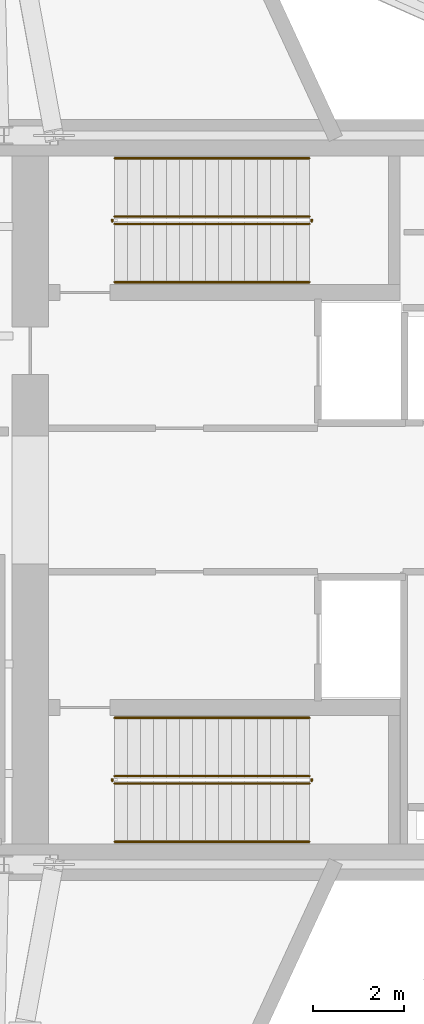
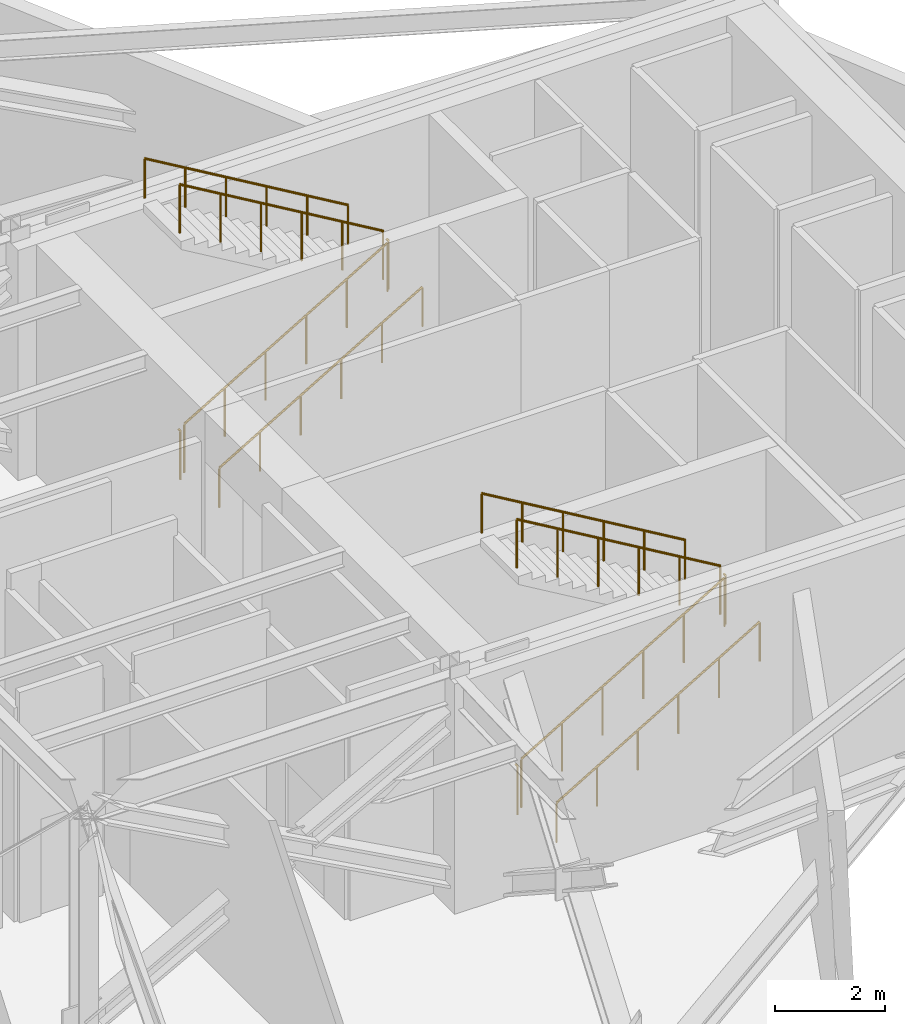
# One storey, part 6 of 6: 12 railings.
"""IFC4 building model written with IfcOpenShell, lengths in metres."""

import ifcopenshell
import ifcopenshell.guid

model = None  # the IFC model being written
_history = None  # IfcOwnerHistory: only IFC2X3 demands one
_inside = {}  # id of a spatial element -> (the spatial element, [elements in it])
_under = {}  # id of a project, library or spatial element -> (it, [spatial elements below it])
_declared = {}  # id of a project -> (the project, [libraries it declares])
_typed = {}  # id of a type object -> (the type object, [elements of that type])
_made_of = {}  # id of a material, layer set ... -> (it, [elements and type objects made of it])


def new_model(schema):
    """Start an empty IFC model of exactly this schema.

    Asked for "IFC4X3", IfcOpenShell would pick the latest addendum, in which some entities
    have other attributes; the version numbers below select the first issue.
    IFC2X3 requires an IfcOwnerHistory on every rooted entity: one is made here for all.
    """
    global model, _history
    if schema == "IFC4X3":
        model = ifcopenshell.file(schema_version=(4, 3, 0, 0))
    else:
        model = ifcopenshell.file(schema=schema)
    _inside.clear()
    _under.clear()
    _declared.clear()
    _typed.clear()
    _made_of.clear()
    _history = None
    if model.schema == "IFC2X3":
        org = make("IfcOrganization", Name="unknown")
        user = make(
            "IfcPersonAndOrganization",
            ThePerson=make("IfcPerson", FamilyName="unknown"),
            TheOrganization=org,
        )
        app = make(
            "IfcApplication",
            ApplicationDeveloper=org,
            Version="unknown",
            ApplicationFullName="unknown",
            ApplicationIdentifier="unknown",
        )
        _history = make(
            "IfcOwnerHistory",
            OwningUser=user,
            OwningApplication=app,
            ChangeAction="ADDED",
            CreationDate=0,
        )
    return model


def make(cls, **values):
    """One entity of the class cls with the attributes given. An attribute that is None is left unset."""
    return model.create_entity(
        cls, **{name: value for name, value in values.items() if value is not None}
    )


def rooted(cls, **values):
    """An entity with a GlobalId (a new one), such as an element, a storey or a relation."""
    return make(cls, GlobalId=ifcopenshell.guid.new(), OwnerHistory=_history, **values)


def si_unit(unit_type, name, prefix=None):
    """IfcSIUnit, for example si_unit("LENGTHUNIT", "METRE", prefix="MILLI")."""
    return make("IfcSIUnit", UnitType=unit_type, Prefix=prefix, Name=name)


def assignment(units):
    """IfcUnitAssignment: the units of a project."""
    return None if units is None else make("IfcUnitAssignment", Units=units)


def point(xyz):
    """IfcCartesianPoint."""
    return None if xyz is None else make("IfcCartesianPoint", Coordinates=xyz)


def direction(xyz):
    """IfcDirection."""
    return None if xyz is None else make("IfcDirection", DirectionRatios=xyz)


def frame(location, z_axis=None, x_axis=None):
    """IfcAxis2Placement3D, a coordinate frame: its origin and axes. An axis left out is left unset."""
    return make(
        "IfcAxis2Placement3D",
        Location=point(location),
        Axis=direction(z_axis),
        RefDirection=direction(x_axis),
    )


def frame_2d(location, x_axis=None):
    """IfcAxis2Placement2D, a coordinate frame in the plane: its origin and x axis."""
    return make(
        "IfcAxis2Placement2D", Location=point(location), RefDirection=direction(x_axis)
    )


def origin():
    """The frame at (0, 0, 0) with its axes left unset."""
    return frame((0.0, 0.0, 0.0))


def origin_2d():
    """The frame at (0, 0) in the plane with its x axis left unset."""
    return frame_2d((0.0, 0.0))


def place(relative_to, where):
    """IfcLocalPlacement: puts the frame where relative to a parent placement (None: the world)."""
    return make(
        "IfcLocalPlacement", PlacementRelTo=relative_to, RelativePlacement=where
    )


def context(
    kind, dimensions, precision=None, world=None, true_north=None, identifier=None
):
    """IfcGeometricRepresentationContext, for example the 3D "Model" context."""
    return make(
        "IfcGeometricRepresentationContext",
        ContextIdentifier=identifier,
        ContextType=kind,
        CoordinateSpaceDimension=dimensions,
        Precision=precision,
        WorldCoordinateSystem=world,
        TrueNorth=true_north,
    )


def subcontext(parent, identifier, kind, view, scale=None):
    """IfcGeometricRepresentationSubContext, for example "Body" below "Model"."""
    return make(
        "IfcGeometricRepresentationSubContext",
        ContextIdentifier=identifier,
        ContextType=kind,
        ParentContext=parent,
        TargetScale=scale,
        TargetView=view,
    )


def project(units=None, contexts=None):
    """IfcProject with its units and contexts."""
    return rooted(
        "IfcProject",
        Name="project",
        RepresentationContexts=contexts,
        UnitsInContext=assignment(units),
    )


def spatial(cls, under=None, at=None, **own):
    """A site, building, storey or space (cls), placed at a placement, below another one or the project."""
    s = rooted(cls, ObjectPlacement=at, **own)
    if under is not None:
        _under.setdefault(under.id(), (under, []))[1].append(s)
    return s


def profile(cls, at=None, kind="AREA", **sizes):
    """A parametric profile (cls). Its sizes go by their IFC names, for example OverallWidth=200.0."""
    return make(cls, ProfileType=kind, Position=at, **sizes)


def circle(**sizes):
    """IfcCircleProfileDef."""
    return profile("IfcCircleProfileDef", **sizes)


def extrude(swept, where, along, depth):
    """IfcExtrudedAreaSolid: the profile swept, set in the frame where, extruded along a direction by depth."""
    return make(
        "IfcExtrudedAreaSolid",
        SweptArea=swept,
        Position=where,
        ExtrudedDirection=direction(along),
        Depth=depth,
    )


def shape(context_of_items, identifier, shape_type, items):
    """IfcShapeRepresentation: the items that make up one representation, for example the "Body"."""
    return make(
        "IfcShapeRepresentation",
        ContextOfItems=context_of_items,
        RepresentationIdentifier=identifier,
        RepresentationType=shape_type,
        Items=items,
    )


def material(Name=None, Category=None):
    """IfcMaterial."""
    return make("IfcMaterial", Name=Name, Category=Category)


def made_of(thing, what):
    """Note that an element or type object is made of a material, layer set ...; save() writes the relation."""
    if what is not None:
        _made_of.setdefault(what.id(), (what, []))[1].append(thing)
    return thing


def type_object(cls, material=None, **own):
    """A type object (cls), such as IfcWallType, which elements share."""
    return made_of(rooted(cls, **own), material)


def element(
    cls,
    number,
    at=None,
    inside=None,
    cuts=None,
    type_object=None,
    material=None,
    context=None,
    identifier="Body",
    shape_type=None,
    held_by="IfcProductDefinitionShape",
    body=None,
    shapes=None,
    **own,
):
    """One element of the class cls, such as IfcWall. Its Tag is "e" and its number.

    at: its placement. inside: the storey or other place that contains it. cuts: it is an
    opening in that element (IfcRelVoidsElement). A single representation is given by context,
    identifier, shape_type and body (its items); several are given by shapes. held_by: the class
    of the entity that holds the representations. save() writes the other relations.
    """
    e = rooted(cls, Tag="e%d" % number, ObjectPlacement=at, **own)
    if body is not None:
        shapes = [shape(context, identifier, shape_type, body)]
    if shapes is not None:
        e.Representation = make(held_by, Representations=shapes)
    if inside is not None:
        _inside.setdefault(inside.id(), (inside, []))[1].append(e)
    if cuts is not None:
        rooted(
            "IfcRelVoidsElement", RelatingBuildingElement=cuts, RelatedOpeningElement=e
        )
    if type_object is not None:
        _typed.setdefault(type_object.id(), (type_object, []))[1].append(e)
    return made_of(e, material)


def aggregate(whole, parts):
    """IfcRelAggregates: a whole, such as a stair, and the parts it consists of."""
    return rooted("IfcRelAggregates", RelatingObject=whole, RelatedObjects=parts)


def save(model, path):
    """Write the relations noted so far, then the file.

    IfcRelAggregates (storeys below a building ...), IfcRelContainedInSpatialStructure (elements
    in a storey), IfcRelDefinesByType, IfcRelAssociatesMaterial and IfcRelDeclares: one each for
    every whole, place, type object, material and project.
    """
    for whole, parts in _under.values():
        aggregate(whole, parts)
    for where, things in _inside.values():
        rooted(
            "IfcRelContainedInSpatialStructure",
            RelatedElements=things,
            RelatingStructure=where,
        )
    for kind, things in _typed.values():
        rooted("IfcRelDefinesByType", RelatedObjects=things, RelatingType=kind)
    for what, things in _made_of.values():
        rooted("IfcRelAssociatesMaterial", RelatedObjects=things, RelatingMaterial=what)
    for by, libraries in _declared.values():
        rooted("IfcRelDeclares", RelatingContext=by, RelatedDefinitions=libraries)
    model.write(path)


model = new_model("IFC4")

# Units and contexts
model_context = context("Model", 3, precision=1e-05, world=origin(), true_north=direction((0.0, 1.0)))
body_context = subcontext(model_context, "Body", "Model", "MODEL_VIEW")
ifc_project = project(units=[si_unit("LENGTHUNIT", "METRE"), si_unit("AREAUNIT", "SQUARE_METRE"), si_unit("VOLUMEUNIT", "CUBIC_METRE"), si_unit("PLANEANGLEUNIT", "RADIAN"), si_unit("MASSUNIT", "GRAM", prefix="KILO")], contexts=[model_context])

# Site, building, storey
site_placement = place(None, origin())
site = spatial("IfcSite", under=ifc_project, at=site_placement, CompositionType="ELEMENT")
building_placement = place(site_placement, origin())
building = spatial("IfcBuilding", under=site, at=building_placement, Name="Veymaron Broadcast Tower", CompositionType="ELEMENT")
storey_placement = place(building_placement, frame((0.0, 0.0, 106.64990234375)))
storey = spatial("IfcBuildingStorey", under=building, at=storey_placement, Name="L24", CompositionType="ELEMENT", Elevation=106.64990234375)

# Railings
ifc_material_1 = material(Name="Brushed stainless steel AISI 304", Category="steel")
railing_type_1 = type_object("IfcRailingType", Name="RAIL-STAIR-HR", PredefinedType="HANDRAIL", material=ifc_material_1)
railing_1_placement = place(storey_placement, frame((41.429931640625, 28.780029296875, 0.1689453125)))
element("IfcRailing", 1, at=railing_1_placement, inside=storey, type_object=railing_type_1, Name="L24 ST1 stair handrail 1", PredefinedType="HANDRAIL", context=body_context, shape_type="SweptSolid", body=[
    extrude(circle(Radius=0.02392578125, at=origin_2d()), frame((0.0, 0.0, 0.8759765625), z_axis=(0.860483042394, 0.0, 0.50947908078), x_axis=(0.0, 1.0, 0.0)), (0.0, 0.0, 1.0), 4.96826171875),
    extrude(circle(Radius=0.02099609375, at=origin_2d()), origin(), (0.0, 0.0, 1.0), 0.851806640625),
    extrude(circle(Radius=0.02099609375, at=origin_2d()), frame((0.85498046875, 0.0, 0.50634765625)), (0.0, 0.0, 1.0), 0.851806640625),
    extrude(circle(Radius=0.02099609375, at=origin_2d()), frame((1.7099609375, 0.0, 1.012451171875)), (0.0, 0.0, 1.0), 0.851806640625),
    extrude(circle(Radius=0.02099609375, at=origin_2d()), frame((2.565185546875, 0.0, 1.518798828125)), (0.0, 0.0, 1.0), 0.851806640625),
    extrude(circle(Radius=0.02099609375, at=origin_2d()), frame((3.420166015625, 0.0, 2.02490234375)), (0.0, 0.0, 1.0), 0.851806640625),
    extrude(circle(Radius=0.02099609375, at=origin_2d()), frame((4.275146484375, 0.0, 2.53125)), (0.0, 0.0, 1.0), 0.851806640625),
])
railing_2_placement = place(storey_placement, frame((45.705078125, 31.5, 2.868896484375)))
element("IfcRailing", 2, at=railing_2_placement, inside=storey, type_object=railing_type_1, Name="L24 ST1 stair handrail 2", PredefinedType="HANDRAIL", context=body_context, shape_type="SweptSolid", body=[
    extrude(circle(Radius=0.02392578125, at=origin_2d()), frame((0.0, 0.0, 0.8759765625), z_axis=(-0.860483042394, 0.0, 0.50947908078), x_axis=(0.0, -1.0, 0.0)), (0.0, 0.0, 1.0), 4.96826171875),
    extrude(circle(Radius=0.02099609375, at=origin_2d()), origin(), (0.0, 0.0, 1.0), 0.851806640625),
    extrude(circle(Radius=0.02099609375, at=origin_2d()), frame((-0.85498046875, 0.0, 0.50634765625)), (0.0, 0.0, 1.0), 0.851806640625),
    extrude(circle(Radius=0.02099609375, at=origin_2d()), frame((-1.7099609375, 0.0, 1.012451171875)), (0.0, 0.0, 1.0), 0.851806640625),
    extrude(circle(Radius=0.02099609375, at=origin_2d()), frame((-2.565185546875, 0.0, 1.518798828125)), (0.0, 0.0, 1.0), 0.851806640625),
    extrude(circle(Radius=0.02099609375, at=origin_2d()), frame((-3.420166015625, 0.0, 2.02490234375)), (0.0, 0.0, 1.0), 0.851806640625),
    extrude(circle(Radius=0.02099609375, at=origin_2d()), frame((-4.275146484375, 0.0, 2.53125)), (0.0, 0.0, 1.0), 0.851806640625),
])
railing_3_placement = place(storey_placement, frame((41.429931640625, 16.5, 0.1689453125)))
element("IfcRailing", 3, at=railing_3_placement, inside=storey, type_object=railing_type_1, Name="L24 ST2 stair handrail 1", PredefinedType="HANDRAIL", context=body_context, shape_type="SweptSolid", body=[
    extrude(circle(Radius=0.02392578125, at=origin_2d()), frame((0.0, 0.0, 0.8759765625), z_axis=(0.860483042394, 0.0, 0.50947908078), x_axis=(0.0, 1.0, 0.0)), (0.0, 0.0, 1.0), 4.96826171875),
    extrude(circle(Radius=0.02099609375, at=origin_2d()), origin(), (0.0, 0.0, 1.0), 0.851806640625),
    extrude(circle(Radius=0.02099609375, at=origin_2d()), frame((0.85498046875, 0.0, 0.50634765625)), (0.0, 0.0, 1.0), 0.851806640625),
    extrude(circle(Radius=0.02099609375, at=origin_2d()), frame((1.7099609375, 0.0, 1.012451171875)), (0.0, 0.0, 1.0), 0.851806640625),
    extrude(circle(Radius=0.02099609375, at=origin_2d()), frame((2.565185546875, 0.0, 1.518798828125)), (0.0, 0.0, 1.0), 0.851806640625),
    extrude(circle(Radius=0.02099609375, at=origin_2d()), frame((3.420166015625, 0.0, 2.02490234375)), (0.0, 0.0, 1.0), 0.851806640625),
    extrude(circle(Radius=0.02099609375, at=origin_2d()), frame((4.275146484375, 0.0, 2.53125)), (0.0, 0.0, 1.0), 0.851806640625),
])
railing_4_placement = place(storey_placement, frame((45.705078125, 19.219970703125, 2.868896484375)))
element("IfcRailing", 4, at=railing_4_placement, inside=storey, type_object=railing_type_1, Name="L24 ST2 stair handrail 2", PredefinedType="HANDRAIL", context=body_context, shape_type="SweptSolid", body=[
    extrude(circle(Radius=0.02392578125, at=origin_2d()), frame((0.0, 0.0, 0.8759765625), z_axis=(-0.860483042394, 0.0, 0.50947908078), x_axis=(0.0, -1.0, 0.0)), (0.0, 0.0, 1.0), 4.96826171875),
    extrude(circle(Radius=0.02099609375, at=origin_2d()), origin(), (0.0, 0.0, 1.0), 0.851806640625),
    extrude(circle(Radius=0.02099609375, at=origin_2d()), frame((-0.85498046875, 0.0, 0.50634765625)), (0.0, 0.0, 1.0), 0.851806640625),
    extrude(circle(Radius=0.02099609375, at=origin_2d()), frame((-1.7099609375, 0.0, 1.012451171875)), (0.0, 0.0, 1.0), 0.851806640625),
    extrude(circle(Radius=0.02099609375, at=origin_2d()), frame((-2.565185546875, 0.0, 1.518798828125)), (0.0, 0.0, 1.0), 0.851806640625),
    extrude(circle(Radius=0.02099609375, at=origin_2d()), frame((-3.420166015625, 0.0, 2.02490234375)), (0.0, 0.0, 1.0), 0.851806640625),
    extrude(circle(Radius=0.02099609375, at=origin_2d()), frame((-4.275146484375, 0.0, 2.53125)), (0.0, 0.0, 1.0), 0.851806640625),
])
ifc_material_2 = material(Name="Painted galvanized steel balustrade", Category="steel")
railing_type_2 = type_object("IfcRailingType", Name="RAIL-WELL-GRD", PredefinedType="GUARDRAIL", material=ifc_material_2)
railing_5_placement = place(storey_placement, frame((41.429931640625, 30.06005859375, 0.1689453125)))
element("IfcRailing", 5, at=railing_5_placement, inside=storey, type_object=railing_type_2, Name="L24 ST1 stair guard 1", PredefinedType="GUARDRAIL", context=body_context, shape_type="SweptSolid", body=[
    extrude(circle(Radius=0.02392578125, at=origin_2d()), frame((0.0, 0.0, 1.076171875), z_axis=(0.860483042394, 0.0, 0.50947908078), x_axis=(0.0, 1.0, 0.0)), (0.0, 0.0, 1.0), 4.96826171875),
    extrude(circle(Radius=0.02099609375, at=origin_2d()), origin(), (0.0, 0.0, 1.0), 1.052001953125),
    extrude(circle(Radius=0.02099609375, at=origin_2d()), frame((0.85498046875, 0.0, 0.50634765625)), (0.0, 0.0, 1.0), 1.052001953125),
    extrude(circle(Radius=0.02099609375, at=origin_2d()), frame((1.7099609375, 0.0, 1.012451171875)), (0.0, 0.0, 1.0), 1.052001953125),
    extrude(circle(Radius=0.02099609375, at=origin_2d()), frame((2.565185546875, 0.0, 1.518798828125)), (0.0, 0.0, 1.0), 1.052001953125),
    extrude(circle(Radius=0.02099609375, at=origin_2d()), frame((3.420166015625, 0.0, 2.02490234375)), (0.0, 0.0, 1.0), 1.052001953125),
    extrude(circle(Radius=0.02099609375, at=origin_2d()), frame((4.275146484375, 0.0, 2.53125)), (0.0, 0.0, 1.0), 1.052001953125),
])
railing_6_placement = place(storey_placement, frame((45.7548828125, 30.110107421875, 2.7001953125)))
element("IfcRailing", 6, at=railing_6_placement, inside=storey, type_object=railing_type_2, Name="L24 ST1 stair guard 2", PredefinedType="GUARDRAIL", context=body_context, shape_type="SweptSolid", body=[
    extrude(circle(Radius=0.02392578125, at=origin_2d()), frame((0.0, 0.0, 1.076171875), z_axis=(0.0, 1.0, 0.0), x_axis=(-1.0, 0.0, 0.0)), (0.0, 0.0, 1.0), 0.059814453125),
    extrude(circle(Radius=0.02099609375, at=origin_2d()), origin(), (0.0, 0.0, 1.0), 1.052001953125),
])
railing_7_placement = place(storey_placement, frame((45.705078125, 30.219970703125, 2.868896484375)))
element("IfcRailing", 7, at=railing_7_placement, inside=storey, type_object=railing_type_2, Name="L24 ST1 stair guard 3", PredefinedType="GUARDRAIL", context=body_context, shape_type="SweptSolid", body=[
    extrude(circle(Radius=0.02392578125, at=origin_2d()), frame((0.0, 0.0, 1.076171875), z_axis=(-0.860483042394, 0.0, 0.50947908078), x_axis=(0.0, -1.0, 0.0)), (0.0, 0.0, 1.0), 4.96826171875),
    extrude(circle(Radius=0.02099609375, at=origin_2d()), origin(), (0.0, 0.0, 1.0), 1.052001953125),
    extrude(circle(Radius=0.02099609375, at=origin_2d()), frame((-0.85498046875, 0.0, 0.50634765625)), (0.0, 0.0, 1.0), 1.052001953125),
    extrude(circle(Radius=0.02099609375, at=origin_2d()), frame((-1.7099609375, 0.0, 1.012451171875)), (0.0, 0.0, 1.0), 1.052001953125),
    extrude(circle(Radius=0.02099609375, at=origin_2d()), frame((-2.565185546875, 0.0, 1.518798828125)), (0.0, 0.0, 1.0), 1.052001953125),
    extrude(circle(Radius=0.02099609375, at=origin_2d()), frame((-3.420166015625, 0.0, 2.02490234375)), (0.0, 0.0, 1.0), 1.052001953125),
    extrude(circle(Radius=0.02099609375, at=origin_2d()), frame((-4.275146484375, 0.0, 2.53125)), (0.0, 0.0, 1.0), 1.052001953125),
])
railing_8_placement = place(storey_placement, frame((41.3798828125, 30.110107421875, 0.0)))
element("IfcRailing", 8, at=railing_8_placement, inside=storey, type_object=railing_type_2, Name="L24 ST1 stair guard 4", PredefinedType="GUARDRAIL", context=body_context, shape_type="SweptSolid", body=[
    extrude(circle(Radius=0.02392578125, at=origin_2d()), frame((0.0, 0.0, 1.076171875), z_axis=(0.0, 1.0, 0.0), x_axis=(-1.0, 0.0, 0.0)), (0.0, 0.0, 1.0), 0.059814453125),
    extrude(circle(Radius=0.02099609375, at=origin_2d()), origin(), (0.0, 0.0, 1.0), 1.052001953125),
])
railing_9_placement = place(storey_placement, frame((41.429931640625, 17.780029296875, 0.1689453125)))
element("IfcRailing", 9, at=railing_9_placement, inside=storey, type_object=railing_type_2, Name="L24 ST2 stair guard 1", PredefinedType="GUARDRAIL", context=body_context, shape_type="SweptSolid", body=[
    extrude(circle(Radius=0.02392578125, at=origin_2d()), frame((0.0, 0.0, 1.076171875), z_axis=(0.860483042394, 0.0, 0.50947908078), x_axis=(0.0, 1.0, 0.0)), (0.0, 0.0, 1.0), 4.96826171875),
    extrude(circle(Radius=0.02099609375, at=origin_2d()), origin(), (0.0, 0.0, 1.0), 1.052001953125),
    extrude(circle(Radius=0.02099609375, at=origin_2d()), frame((0.85498046875, 0.0, 0.50634765625)), (0.0, 0.0, 1.0), 1.052001953125),
    extrude(circle(Radius=0.02099609375, at=origin_2d()), frame((1.7099609375, 0.0, 1.012451171875)), (0.0, 0.0, 1.0), 1.052001953125),
    extrude(circle(Radius=0.02099609375, at=origin_2d()), frame((2.565185546875, 0.0, 1.518798828125)), (0.0, 0.0, 1.0), 1.052001953125),
    extrude(circle(Radius=0.02099609375, at=origin_2d()), frame((3.420166015625, 0.0, 2.02490234375)), (0.0, 0.0, 1.0), 1.052001953125),
    extrude(circle(Radius=0.02099609375, at=origin_2d()), frame((4.275146484375, 0.0, 2.53125)), (0.0, 0.0, 1.0), 1.052001953125),
])
railing_10_placement = place(storey_placement, frame((45.7548828125, 17.830078125, 2.7001953125)))
element("IfcRailing", 10, at=railing_10_placement, inside=storey, type_object=railing_type_2, Name="L24 ST2 stair guard 2", PredefinedType="GUARDRAIL", context=body_context, shape_type="SweptSolid", body=[
    extrude(circle(Radius=0.02392578125, at=origin_2d()), frame((0.0, 0.0, 1.076171875), z_axis=(0.0, 1.0, 0.0), x_axis=(-1.0, 0.0, 0.0)), (0.0, 0.0, 1.0), 0.059814453125),
    extrude(circle(Radius=0.02099609375, at=origin_2d()), origin(), (0.0, 0.0, 1.0), 1.052001953125),
])
railing_11_placement = place(storey_placement, frame((45.705078125, 17.93994140625, 2.868896484375)))
element("IfcRailing", 11, at=railing_11_placement, inside=storey, type_object=railing_type_2, Name="L24 ST2 stair guard 3", PredefinedType="GUARDRAIL", context=body_context, shape_type="SweptSolid", body=[
    extrude(circle(Radius=0.02392578125, at=origin_2d()), frame((0.0, 0.0, 1.076171875), z_axis=(-0.860483042394, 0.0, 0.50947908078), x_axis=(0.0, -1.0, 0.0)), (0.0, 0.0, 1.0), 4.96826171875),
    extrude(circle(Radius=0.02099609375, at=origin_2d()), origin(), (0.0, 0.0, 1.0), 1.052001953125),
    extrude(circle(Radius=0.02099609375, at=origin_2d()), frame((-0.85498046875, 0.0, 0.50634765625)), (0.0, 0.0, 1.0), 1.052001953125),
    extrude(circle(Radius=0.02099609375, at=origin_2d()), frame((-1.7099609375, 0.0, 1.012451171875)), (0.0, 0.0, 1.0), 1.052001953125),
    extrude(circle(Radius=0.02099609375, at=origin_2d()), frame((-2.565185546875, 0.0, 1.518798828125)), (0.0, 0.0, 1.0), 1.052001953125),
    extrude(circle(Radius=0.02099609375, at=origin_2d()), frame((-3.420166015625, 0.0, 2.02490234375)), (0.0, 0.0, 1.0), 1.052001953125),
    extrude(circle(Radius=0.02099609375, at=origin_2d()), frame((-4.275146484375, 0.0, 2.53125)), (0.0, 0.0, 1.0), 1.052001953125),
])
railing_12_placement = place(storey_placement, frame((41.3798828125, 17.830078125, 0.0)))
element("IfcRailing", 12, at=railing_12_placement, inside=storey, type_object=railing_type_2, Name="L24 ST2 stair guard 4", PredefinedType="GUARDRAIL", context=body_context, shape_type="SweptSolid", body=[
    extrude(circle(Radius=0.02392578125, at=origin_2d()), frame((0.0, 0.0, 1.076171875), z_axis=(0.0, 1.0, 0.0), x_axis=(-1.0, 0.0, 0.0)), (0.0, 0.0, 1.0), 0.059814453125),
    extrude(circle(Radius=0.02099609375, at=origin_2d()), origin(), (0.0, 0.0, 1.0), 1.052001953125),
])

save(model, "model.ifc")
